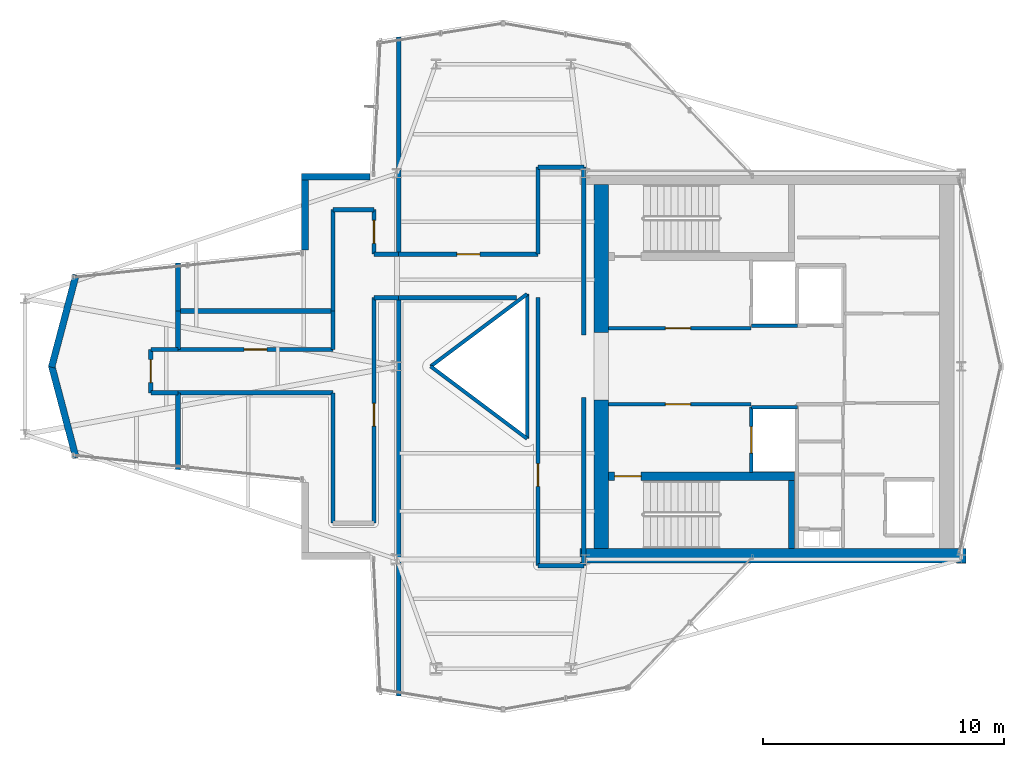
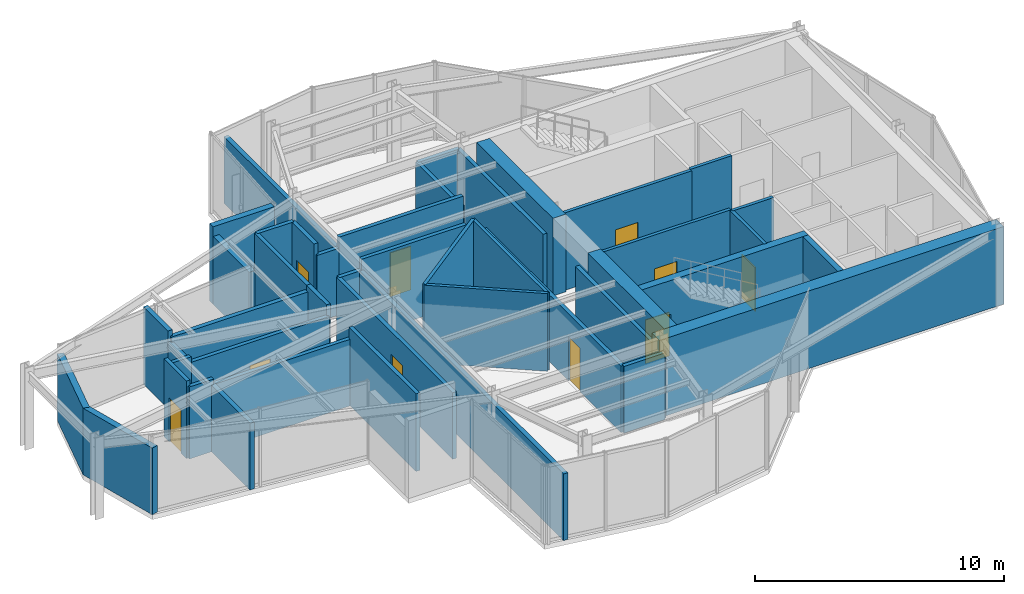
# One storey, part 11 of 14: 44 walls, 10 doors, 10 openings.
"""IFC4 building model written with IfcOpenShell, lengths in metres."""

import ifcopenshell
import ifcopenshell.guid

model = None  # the IFC model being written
_history = None  # IfcOwnerHistory: only IFC2X3 demands one
_inside = {}  # id of a spatial element -> (the spatial element, [elements in it])
_under = {}  # id of a project, library or spatial element -> (it, [spatial elements below it])
_declared = {}  # id of a project -> (the project, [libraries it declares])
_typed = {}  # id of a type object -> (the type object, [elements of that type])
_made_of = {}  # id of a material, layer set ... -> (it, [elements and type objects made of it])


def new_model(schema):
    """Start an empty IFC model of exactly this schema.

    Asked for "IFC4X3", IfcOpenShell would pick the latest addendum, in which some entities
    have other attributes; the version numbers below select the first issue.
    IFC2X3 requires an IfcOwnerHistory on every rooted entity: one is made here for all.
    """
    global model, _history
    if schema == "IFC4X3":
        model = ifcopenshell.file(schema_version=(4, 3, 0, 0))
    else:
        model = ifcopenshell.file(schema=schema)
    _inside.clear()
    _under.clear()
    _declared.clear()
    _typed.clear()
    _made_of.clear()
    _history = None
    if model.schema == "IFC2X3":
        org = make("IfcOrganization", Name="unknown")
        user = make(
            "IfcPersonAndOrganization",
            ThePerson=make("IfcPerson", FamilyName="unknown"),
            TheOrganization=org,
        )
        app = make(
            "IfcApplication",
            ApplicationDeveloper=org,
            Version="unknown",
            ApplicationFullName="unknown",
            ApplicationIdentifier="unknown",
        )
        _history = make(
            "IfcOwnerHistory",
            OwningUser=user,
            OwningApplication=app,
            ChangeAction="ADDED",
            CreationDate=0,
        )
    return model


def make(cls, **values):
    """One entity of the class cls with the attributes given. An attribute that is None is left unset."""
    return model.create_entity(
        cls, **{name: value for name, value in values.items() if value is not None}
    )


def rooted(cls, **values):
    """An entity with a GlobalId (a new one), such as an element, a storey or a relation."""
    return make(cls, GlobalId=ifcopenshell.guid.new(), OwnerHistory=_history, **values)


def si_unit(unit_type, name, prefix=None):
    """IfcSIUnit, for example si_unit("LENGTHUNIT", "METRE", prefix="MILLI")."""
    return make("IfcSIUnit", UnitType=unit_type, Prefix=prefix, Name=name)


def assignment(units):
    """IfcUnitAssignment: the units of a project."""
    return None if units is None else make("IfcUnitAssignment", Units=units)


def point(xyz):
    """IfcCartesianPoint."""
    return None if xyz is None else make("IfcCartesianPoint", Coordinates=xyz)


def direction(xyz):
    """IfcDirection."""
    return None if xyz is None else make("IfcDirection", DirectionRatios=xyz)


def frame(location, z_axis=None, x_axis=None):
    """IfcAxis2Placement3D, a coordinate frame: its origin and axes. An axis left out is left unset."""
    return make(
        "IfcAxis2Placement3D",
        Location=point(location),
        Axis=direction(z_axis),
        RefDirection=direction(x_axis),
    )


def frame_2d(location, x_axis=None):
    """IfcAxis2Placement2D, a coordinate frame in the plane: its origin and x axis."""
    return make(
        "IfcAxis2Placement2D", Location=point(location), RefDirection=direction(x_axis)
    )


def origin():
    """The frame at (0, 0, 0) with its axes left unset."""
    return frame((0.0, 0.0, 0.0))


def place(relative_to, where):
    """IfcLocalPlacement: puts the frame where relative to a parent placement (None: the world)."""
    return make(
        "IfcLocalPlacement", PlacementRelTo=relative_to, RelativePlacement=where
    )


def context(
    kind, dimensions, precision=None, world=None, true_north=None, identifier=None
):
    """IfcGeometricRepresentationContext, for example the 3D "Model" context."""
    return make(
        "IfcGeometricRepresentationContext",
        ContextIdentifier=identifier,
        ContextType=kind,
        CoordinateSpaceDimension=dimensions,
        Precision=precision,
        WorldCoordinateSystem=world,
        TrueNorth=true_north,
    )


def subcontext(parent, identifier, kind, view, scale=None):
    """IfcGeometricRepresentationSubContext, for example "Body" below "Model"."""
    return make(
        "IfcGeometricRepresentationSubContext",
        ContextIdentifier=identifier,
        ContextType=kind,
        ParentContext=parent,
        TargetScale=scale,
        TargetView=view,
    )


def project(units=None, contexts=None):
    """IfcProject with its units and contexts."""
    return rooted(
        "IfcProject",
        Name="project",
        RepresentationContexts=contexts,
        UnitsInContext=assignment(units),
    )


def spatial(cls, under=None, at=None, **own):
    """A site, building, storey or space (cls), placed at a placement, below another one or the project."""
    s = rooted(cls, ObjectPlacement=at, **own)
    if under is not None:
        _under.setdefault(under.id(), (under, []))[1].append(s)
    return s


def profile(cls, at=None, kind="AREA", **sizes):
    """A parametric profile (cls). Its sizes go by their IFC names, for example OverallWidth=200.0."""
    return make(cls, ProfileType=kind, Position=at, **sizes)


def rectangle(**sizes):
    """IfcRectangleProfileDef."""
    return profile("IfcRectangleProfileDef", **sizes)


def extrude(swept, where, along, depth):
    """IfcExtrudedAreaSolid: the profile swept, set in the frame where, extruded along a direction by depth."""
    return make(
        "IfcExtrudedAreaSolid",
        SweptArea=swept,
        Position=where,
        ExtrudedDirection=direction(along),
        Depth=depth,
    )


def shape(context_of_items, identifier, shape_type, items):
    """IfcShapeRepresentation: the items that make up one representation, for example the "Body"."""
    return make(
        "IfcShapeRepresentation",
        ContextOfItems=context_of_items,
        RepresentationIdentifier=identifier,
        RepresentationType=shape_type,
        Items=items,
    )


def material(Name=None, Category=None):
    """IfcMaterial."""
    return make("IfcMaterial", Name=Name, Category=Category)


def layer(
    of_material, thickness, ventilated=None, Name=None, Category=None, Priority=None
):
    """IfcMaterialLayer: one layer of a wall or slab, of a material (None: an air gap)."""
    return make(
        "IfcMaterialLayer",
        Material=of_material,
        LayerThickness=thickness,
        IsVentilated=ventilated,
        Name=Name,
        Category=Category,
        Priority=Priority,
    )


def layer_set(layers, Name=None):
    """IfcMaterialLayerSet."""
    return make("IfcMaterialLayerSet", MaterialLayers=layers, LayerSetName=Name)


def made_of(thing, what):
    """Note that an element or type object is made of a material, layer set ...; save() writes the relation."""
    if what is not None:
        _made_of.setdefault(what.id(), (what, []))[1].append(thing)
    return thing


def type_object(cls, material=None, **own):
    """A type object (cls), such as IfcWallType, which elements share."""
    return made_of(rooted(cls, **own), material)


def element(
    cls,
    number,
    at=None,
    inside=None,
    cuts=None,
    type_object=None,
    material=None,
    context=None,
    identifier="Body",
    shape_type=None,
    held_by="IfcProductDefinitionShape",
    body=None,
    shapes=None,
    **own,
):
    """One element of the class cls, such as IfcWall. Its Tag is "e" and its number.

    at: its placement. inside: the storey or other place that contains it. cuts: it is an
    opening in that element (IfcRelVoidsElement). A single representation is given by context,
    identifier, shape_type and body (its items); several are given by shapes. held_by: the class
    of the entity that holds the representations. save() writes the other relations.
    """
    e = rooted(cls, Tag="e%d" % number, ObjectPlacement=at, **own)
    if body is not None:
        shapes = [shape(context, identifier, shape_type, body)]
    if shapes is not None:
        e.Representation = make(held_by, Representations=shapes)
    if inside is not None:
        _inside.setdefault(inside.id(), (inside, []))[1].append(e)
    if cuts is not None:
        rooted(
            "IfcRelVoidsElement", RelatingBuildingElement=cuts, RelatedOpeningElement=e
        )
    if type_object is not None:
        _typed.setdefault(type_object.id(), (type_object, []))[1].append(e)
    return made_of(e, material)


def fill(opening, filler):
    """IfcRelFillsElement: the door or window that sits in an opening."""
    return rooted(
        "IfcRelFillsElement",
        RelatingOpeningElement=opening,
        RelatedBuildingElement=filler,
    )


def aggregate(whole, parts):
    """IfcRelAggregates: a whole, such as a stair, and the parts it consists of."""
    return rooted("IfcRelAggregates", RelatingObject=whole, RelatedObjects=parts)


def save(model, path):
    """Write the relations noted so far, then the file.

    IfcRelAggregates (storeys below a building ...), IfcRelContainedInSpatialStructure (elements
    in a storey), IfcRelDefinesByType, IfcRelAssociatesMaterial and IfcRelDeclares: one each for
    every whole, place, type object, material and project.
    """
    for whole, parts in _under.values():
        aggregate(whole, parts)
    for where, things in _inside.values():
        rooted(
            "IfcRelContainedInSpatialStructure",
            RelatedElements=things,
            RelatingStructure=where,
        )
    for kind, things in _typed.values():
        rooted("IfcRelDefinesByType", RelatedObjects=things, RelatingType=kind)
    for what, things in _made_of.values():
        rooted("IfcRelAssociatesMaterial", RelatedObjects=things, RelatingMaterial=what)
    for by, libraries in _declared.values():
        rooted("IfcRelDeclares", RelatingContext=by, RelatedDefinitions=libraries)
    model.write(path)


model = new_model("IFC4")

# Units and contexts
model_context = context("Model", 3, precision=1e-05, world=origin(), true_north=direction((0.0, 1.0)))
body_context = subcontext(model_context, "Body", "Model", "MODEL_VIEW")
ifc_project = project(units=[si_unit("LENGTHUNIT", "METRE"), si_unit("AREAUNIT", "SQUARE_METRE"), si_unit("VOLUMEUNIT", "CUBIC_METRE"), si_unit("PLANEANGLEUNIT", "RADIAN"), si_unit("MASSUNIT", "GRAM", prefix="KILO")], contexts=[model_context])

# Site, building, storey
site_placement = place(None, origin())
site = spatial("IfcSite", under=ifc_project, at=site_placement, CompositionType="ELEMENT")
building_placement = place(site_placement, origin())
building = spatial("IfcBuilding", under=site, at=building_placement, Name="Veymaron Broadcast Tower", CompositionType="ELEMENT")
storey_placement = place(building_placement, frame((0.0, 0.0, 295.199951171875)))
storey = spatial("IfcBuildingStorey", under=building, at=storey_placement, Name="L69", CompositionType="ELEMENT", Elevation=295.199951171875)

# Walls
ifc_material_1 = material(Name="Concrete C40/50", Category="concrete")
ifc_layer_1 = layer(ifc_material_1, 0.199951171875)
ifc_layer_set_1 = layer_set([ifc_layer_1], Name="Concrete C40/50")
wall_type_1 = type_object("IfcWallType", Name="WALL-BLK-200", PredefinedType="SOLIDWALL", material=ifc_layer_set_1)
wall_1_placement = place(storey_placement, frame((31.27587890625, 10.33740234375, 0.0), z_axis=(0.0, 0.0, 1.0), x_axis=(0.0, 1.0, 0.0)))
element("IfcWall", 1, at=wall_1_placement, inside=storey, type_object=wall_type_1, Name="L69 partition IW-L69-P23", PredefinedType="SOLIDWALL", context=body_context, shape_type="SweptSolid", body=[
    extrude(rectangle(XDim=16.5126953125, YDim=0.199951171875, at=frame_2d((8.25634765625, 0.0))), origin(), (0.0, 0.0, 1.0), 3.27001953125),
])
wall_2_placement = place(storey_placement, frame((22.1279296875, 19.71533203125, 0.0), z_axis=(0.0, 0.0, 1.0), x_axis=(0.0, 1.0, 0.0)))
element("IfcWall", 2, at=wall_2_placement, inside=storey, type_object=wall_type_1, Name="L69 partition IW-L69-P24", PredefinedType="SOLIDWALL", context=body_context, shape_type="SweptSolid", body=[
    extrude(rectangle(XDim=3.1845703125, YDim=0.199951171875, at=frame_2d((1.59228515625, 0.0))), origin(), (0.0, 0.0, 1.0), 3.27001953125),
])
wall_3_placement = place(storey_placement, frame((22.1279296875, 24.699951171875, 0.0), z_axis=(0.0, 0.0, 1.0), x_axis=(0.0, 1.0, 0.0)))
element("IfcWall", 3, at=wall_3_placement, inside=storey, type_object=wall_type_1, Name="L69 partition IW-L69-P25", PredefinedType="SOLIDWALL", context=body_context, shape_type="SweptSolid", body=[
    extrude(rectangle(XDim=1.59814453125, YDim=0.199951171875, at=frame_2d((0.799072265625, 0.0))), origin(), (0.0, 0.0, 1.0), 3.27001953125),
])
wall_4_placement = place(storey_placement, frame((22.1279296875, 26.298095703125, 0.0), z_axis=(0.0, 0.0, 1.0), x_axis=(0.0, 1.0, 0.0)))
element("IfcWall", 4, at=wall_4_placement, inside=storey, type_object=wall_type_1, Name="L69 partition IW-L69-P26", PredefinedType="SOLIDWALL", context=body_context, shape_type="SweptSolid", body=[
    extrude(rectangle(XDim=1.986572265625, YDim=0.199951171875, at=frame_2d((0.9931640625, 0.0))), origin(), (0.0, 0.0, 1.0), 3.81005859375),
])
wall_5_placement = place(storey_placement, frame((22.1279296875, 26.298095703125, 0.0), z_axis=(0.0, 0.0, 1.0), x_axis=(1.0, 0.0, 0.0)))
element("IfcWall", 5, at=wall_5_placement, inside=storey, type_object=wall_type_1, Name="L69 partition IW-L69-P27", PredefinedType="SOLIDWALL", context=body_context, shape_type="SweptSolid", body=[
    extrude(rectangle(XDim=6.422119140625, YDim=0.199951171875, at=frame_2d((3.2109375, 0.0))), origin(), (0.0, 0.0, 1.0), 3.5400390625),
])
wall_6_placement = place(storey_placement, frame((31.27587890625, 28.64990234375, 0.0), z_axis=(0.0, 0.0, 1.0), x_axis=(0.0, 1.0, 0.0)))
element("IfcWall", 6, at=wall_6_placement, inside=storey, type_object=wall_type_1, Name="L69 partition IW-L69-P28", PredefinedType="SOLIDWALL", context=body_context, shape_type="SweptSolid", body=[
    extrude(rectangle(XDim=9.0126953125, YDim=0.199951171875, at=frame_2d((4.50634765625, 0.0))), origin(), (0.0, 0.0, 1.0), 3.27001953125),
])
ifc_material_2 = material(Name="Precast concrete C40/50", Category="concrete")
ifc_layer_2 = layer(ifc_material_2, 0.280029296875)
ifc_layer_set_2 = layer_set([ifc_layer_2], Name="Precast concrete C40/50")
wall_type_2 = type_object("IfcWallType", Name="WALL-EXT-280", PredefinedType="STANDARD", material=ifc_layer_set_2)
wall_7_placement = place(storey_placement, frame((30.0908203125, 31.860107421875, 0.0), z_axis=(0.0, 0.0, 1.0), x_axis=(-1.0, 0.0, 0.0)))
element("IfcWall", 7, at=wall_7_placement, inside=storey, type_object=wall_type_2, Name="L69 notched corner facade pier 9-1", PredefinedType="STANDARD", context=body_context, shape_type="SweptSolid", body=[
    extrude(rectangle(XDim=2.84130859375, YDim=0.280029296875, at=frame_2d((1.420654296875, 0.0))), origin(), (0.0, 0.0, 1.0), 3.81005859375),
])
wall_8_placement = place(storey_placement, frame((27.3896484375, 32.0, 0.0), z_axis=(0.0, 0.0, 1.0), x_axis=(0.0, -1.0, 0.0)))
element("IfcWall", 8, at=wall_8_placement, inside=storey, type_object=wall_type_2, Name="L69 notched corner facade pier 10-1", PredefinedType="STANDARD", context=body_context, shape_type="SweptSolid", body=[
    extrude(rectangle(XDim=3.177001953125, YDim=0.280029296875, at=frame_2d((1.58837890625, 0.0))), origin(), (0.0, 0.0, 1.0), 3.339111328125),
])
for number, where, z_axis, x_axis, name in (
    (9, (17.895263671875, 27.78955078125, 0.0), (0.0, 0.0, 1.0), (-0.255911213431, -0.96670029008, 0.0), "L69 notched corner facade pier 12-1"),
    (10, (16.882568359375, 24.035888671875, 0.0), (0.0, 0.0, 1.0), (0.255911213431, -0.96670029008, 0.0), "L69 notched corner facade pier 13-1"),
):
    element("IfcWall", number, at=place(storey_placement, frame(where, z_axis=z_axis, x_axis=x_axis)), inside=storey, type_object=wall_type_2, Name=name, PredefinedType="STANDARD", context=body_context, shape_type="SweptSolid", body=[
        extrude(rectangle(XDim=3.957275390625, YDim=0.280029296875, at=frame_2d((1.978515625, 0.0))), origin(), (0.0, 0.0, 1.0), 3.27001953125),
    ])

# Wall, opening, door
ifc_material_3 = material(Name="Gypsum fireboard and steel stud framing", Category="steel")
ifc_layer_3 = layer(ifc_material_3, 0.14990234375)
ifc_layer_set_3 = layer_set([ifc_layer_3], Name="Gypsum fireboard and steel stud framing")
wall_type_3 = type_object("IfcWallType", Name="WALL-FIRE-150", PredefinedType="PARTITIONING", material=ifc_layer_set_3)
wall_9_placement = place(storey_placement, frame((39.97998046875, 25.574951171875, 0.0), z_axis=(0.0, 0.0, 1.0), x_axis=(1.0, 0.0, 0.0)))
wall_9 = element("IfcWall", 11, at=wall_9_placement, inside=storey, type_object=wall_type_3, Name="L69 partition IW-L69-FFLN-S", PredefinedType="PARTITIONING", context=body_context, shape_type="SweptSolid", body=[
    extrude(rectangle(XDim=5.89990234375, YDim=0.14990234375, at=frame_2d((2.949951171875, 0.0))), origin(), (0.0, 0.0, 1.0), 3.81005859375),
])
opening_1_placement = place(wall_9_placement, frame((2.35009765625, 0.0, 0.0)))
opening_1 = element("IfcOpeningElement", 12, at=opening_1_placement, cuts=wall_9, Name="Opening ID-FL1", PredefinedType="OPENING", context=body_context, shape_type="SweptSolid", body=[
    extrude(rectangle(XDim=1.050048828125, YDim=2.14990234375, at=frame_2d((0.52490234375, 1.074951171875))), frame((0.0, 0.0849609375, 0.0), z_axis=(0.0, -1.0, 0.0), x_axis=(1.0, 0.0, 0.0)), (0.0, 0.0, 1.0), 0.169921875),
])
ifc_material_4 = material(Name="Fire-rated painted hollow steel ASTM A653", Category="steel")
door_type_1 = type_object("IfcDoorType", Name="DOOR-FIRE-1050", OperationType="NOTDEFINED", PredefinedType="DOOR", material=ifc_material_4)
door_1_placement = place(opening_1_placement, origin())
door_1 = element("IfcDoor", 13, at=door_1_placement, inside=storey, type_object=door_type_1, Name="L69 door DR-L69-FFLN", OperationType="SINGLE_SWING_LEFT", OverallHeight=2.14990234375, OverallWidth=1.050048828125, PredefinedType="DOOR", context=body_context, shape_type="SweptSolid", body=[
    extrude(rectangle(XDim=1.050048828125, YDim=2.14990234375, at=frame_2d((0.52490234375, 1.074951171875))), frame((0.0, 0.02490234375, 0.0), z_axis=(0.0, -1.0, 0.0), x_axis=(1.0, 0.0, 0.0)), (0.0, 0.0, 1.0), 0.050048828125),
])
fill(opening_1, door_1)

wall_10_placement = place(storey_placement, frame((39.97998046875, 22.425048828125, 0.0), z_axis=(0.0, 0.0, 1.0), x_axis=(1.0, 0.0, 0.0)))
wall_10 = element("IfcWall", 14, at=wall_10_placement, inside=storey, type_object=wall_type_3, Name="L69 partition IW-L69-FFLS-N", PredefinedType="PARTITIONING", context=body_context, shape_type="SweptSolid", body=[
    extrude(rectangle(XDim=5.89990234375, YDim=0.14990234375, at=frame_2d((2.949951171875, 0.0))), origin(), (0.0, 0.0, 1.0), 3.81005859375),
])
opening_2_placement = place(wall_10_placement, frame((2.35009765625, 0.0, 0.0)))
opening_2 = element("IfcOpeningElement", 15, at=opening_2_placement, cuts=wall_10, Name="Opening ID-FL1", PredefinedType="OPENING", context=body_context, shape_type="SweptSolid", body=[
    extrude(rectangle(XDim=1.050048828125, YDim=2.14990234375, at=frame_2d((0.52490234375, 1.074951171875))), frame((0.0, 0.0849609375, 0.0), z_axis=(0.0, -1.0, 0.0), x_axis=(1.0, 0.0, 0.0)), (0.0, 0.0, 1.0), 0.169921875),
])
door_2_placement = place(opening_2_placement, frame((1.050048828125, 0.0, 0.0), z_axis=(0.0, 0.0, 1.0), x_axis=(-1.0, 0.0, 0.0)))
door_2 = element("IfcDoor", 16, at=door_2_placement, inside=storey, type_object=door_type_1, Name="L69 door DR-L69-FFLS", OperationType="SINGLE_SWING_RIGHT", OverallHeight=2.14990234375, OverallWidth=1.050048828125, PredefinedType="DOOR", context=body_context, shape_type="SweptSolid", body=[
    extrude(rectangle(XDim=1.050048828125, YDim=2.14990234375, at=frame_2d((0.52490234375, 1.074951171875))), frame((0.0, 0.02490234375, 0.0), z_axis=(0.0, -1.0, 0.0), x_axis=(1.0, 0.0, 0.0)), (0.0, 0.0, 1.0), 0.050048828125),
])
fill(opening_2, door_2)

# Wall
wall_11_placement = place(storey_placement, frame((45.89501953125, 25.68994140625, 0.0), z_axis=(0.0, 0.0, 1.0), x_axis=(1.0, 0.0, 0.0)))
element("IfcWall", 17, at=wall_11_placement, inside=storey, type_object=wall_type_3, Name="L69 partition IW-L69-SHS-FFL-1", PredefinedType="PARTITIONING", context=body_context, shape_type="SweptSolid", body=[
    extrude(rectangle(XDim=1.9150390625, YDim=0.14990234375, at=frame_2d((0.95751953125, 0.0))), origin(), (0.0, 0.0, 1.0), 3.81005859375),
])

# Wall, opening, door
wall_12_placement = place(storey_placement, frame((45.89501953125, 19.590087890625, 0.0), z_axis=(0.0, 0.0, 1.0), x_axis=(0.0, 1.0, 0.0)))
wall_12 = element("IfcWall", 18, at=wall_12_placement, inside=storey, type_object=wall_type_3, Name="L69 partition IW-L69-SHW-FFL-2", PredefinedType="PARTITIONING", context=body_context, shape_type="SweptSolid", body=[
    extrude(rectangle(XDim=2.719970703125, YDim=0.14990234375, at=frame_2d((1.35986328125, 0.0))), origin(), (0.0, 0.0, 1.0), 3.81005859375),
])
opening_3_placement = place(wall_12_placement, frame((0.81005859375, 0.0, 0.0)))
opening_3 = element("IfcOpeningElement", 19, at=opening_3_placement, cuts=wall_12, Name="Opening LD", PredefinedType="OPENING", context=body_context, shape_type="SweptSolid", body=[
    extrude(rectangle(XDim=1.10009765625, YDim=2.14990234375, at=frame_2d((0.550048828125, 1.074951171875))), frame((0.0, 0.0849609375, 0.0), z_axis=(0.0, -1.0, 0.0), x_axis=(1.0, 0.0, 0.0)), (0.0, 0.0, 1.0), 0.169921875),
])
ifc_material_5 = material(Name="Brushed stainless steel AISI 304", Category="steel")
door_type_2 = type_object("IfcDoorType", Name="DOOR-LIFT-1100", OperationType="DOUBLE_DOOR_SLIDING", PredefinedType="DOOR", material=ifc_material_5)
door_3_placement = place(opening_3_placement, frame((1.10009765625, 0.0, 0.0), z_axis=(0.0, 0.0, 1.0), x_axis=(-1.0, 0.0, 0.0)))
door_3 = element("IfcDoor", 20, at=door_3_placement, inside=storey, type_object=door_type_2, Name="L69 door LD-L69-FFL-2", OperationType="DOUBLE_DOOR_SLIDING", OverallHeight=2.14990234375, OverallWidth=1.10009765625, PredefinedType="DOOR", context=body_context, shape_type="SweptSolid", body=[
    extrude(rectangle(XDim=1.10009765625, YDim=2.14990234375, at=frame_2d((0.550048828125, 1.074951171875))), frame((0.0, 0.02490234375, 0.0), z_axis=(0.0, -1.0, 0.0), x_axis=(1.0, 0.0, 0.0)), (0.0, 0.0, 1.0), 0.050048828125),
])
fill(opening_3, door_3)

# Wall
wall_13_placement = place(storey_placement, frame((45.89501953125, 22.31005859375, 0.0), z_axis=(0.0, 0.0, 1.0), x_axis=(1.0, 0.0, 0.0)))
element("IfcWall", 21, at=wall_13_placement, inside=storey, type_object=wall_type_3, Name="L69 partition IW-L69-SHN-FFL-2", PredefinedType="PARTITIONING", context=body_context, shape_type="SweptSolid", body=[
    extrude(rectangle(XDim=1.9150390625, YDim=0.14990234375, at=frame_2d((0.95751953125, 0.0))), origin(), (0.0, 0.0, 1.0), 3.81005859375),
])

# Wall, opening, door
ifc_layer_4 = layer(ifc_material_1, 0.179931640625)
ifc_layer_set_4 = layer_set([ifc_layer_4], Name="Concrete C40/50")
wall_type_4 = type_object("IfcWallType", Name="WALL-FIRE-180", PredefinedType="SOLIDWALL", material=ifc_layer_set_4)
wall_14_placement = place(storey_placement, frame((37.050048828125, 15.73876953125, 0.0), z_axis=(0.0, 0.0, 1.0), x_axis=(0.0, 1.0, 0.0)))
wall_14 = element("IfcWall", 22, at=wall_14_placement, inside=storey, type_object=wall_type_4, Name="L69 partition IW-L69-P01", PredefinedType="SOLIDWALL", context=body_context, shape_type="SweptSolid", body=[
    extrude(rectangle(XDim=11.111328125, YDim=0.179931640625, at=frame_2d((5.5556640625, 0.0))), origin(), (0.0, 0.0, 1.0), 3.27001953125),
])
opening_4_placement = place(wall_14_placement, frame((3.280517578125, 0.0, 0.0)))
opening_4 = element("IfcOpeningElement", 23, at=opening_4_placement, cuts=wall_14, Name="Opening ID-RM1", PredefinedType="OPENING", context=body_context, shape_type="SweptSolid", body=[
    extrude(rectangle(XDim=0.949951171875, YDim=2.14990234375, at=frame_2d((0.47509765625, 1.074951171875))), frame((0.0, 0.10009765625, 0.0), z_axis=(0.0, -1.0, 0.0), x_axis=(1.0, 0.0, 0.0)), (0.0, 0.0, 1.0), 0.199951171875),
])
ifc_material_6 = material(Name="Acoustic solid-core European oak veneer timber", Category="wood")
door_type_3 = type_object("IfcDoorType", Name="DOOR-INT-950", OperationType="NOTDEFINED", PredefinedType="DOOR", material=ifc_material_6)
door_4_placement = place(opening_4_placement, frame((0.949951171875, 0.0, 0.0), z_axis=(0.0, 0.0, 1.0), x_axis=(-1.0, 0.0, 0.0)))
door_4 = element("IfcDoor", 24, at=door_4_placement, inside=storey, type_object=door_type_3, Name="L69 door DR-L69-P01", OperationType="SINGLE_SWING_RIGHT", OverallHeight=2.14990234375, OverallWidth=0.949951171875, PredefinedType="DOOR", context=body_context, shape_type="SweptSolid", body=[
    extrude(rectangle(XDim=0.949951171875, YDim=2.14990234375, at=frame_2d((0.47509765625, 1.074951171875))), frame((0.0, 0.02490234375, 0.0), z_axis=(0.0, -1.0, 0.0), x_axis=(1.0, 0.0, 0.0)), (0.0, 0.0, 1.0), 0.050048828125),
])
fill(opening_4, door_4)

wall_15_placement = place(storey_placement, frame((30.25, 17.5, 0.0), z_axis=(0.0, 0.0, 1.0), x_axis=(0.0, 1.0, 0.0)))
wall_15 = element("IfcWall", 25, at=wall_15_placement, inside=storey, type_object=wall_type_4, Name="L69 partition IW-L69-P05", PredefinedType="SOLIDWALL", context=body_context, shape_type="SweptSolid", body=[
    extrude(rectangle(XDim=9.35009765625, YDim=0.179931640625, at=frame_2d((4.675048828125, 0.0))), origin(), (0.0, 0.0, 1.0), 3.27001953125),
])
opening_5_placement = place(wall_15_placement, frame((4.02001953125, 0.0, 0.0)))
opening_5 = element("IfcOpeningElement", 26, at=opening_5_placement, cuts=wall_15, Name="Opening ID-RM1", PredefinedType="OPENING", context=body_context, shape_type="SweptSolid", body=[
    extrude(rectangle(XDim=0.949951171875, YDim=2.14990234375, at=frame_2d((0.47509765625, 1.074951171875))), frame((0.0, 0.10009765625, 0.0), z_axis=(0.0, -1.0, 0.0), x_axis=(1.0, 0.0, 0.0)), (0.0, 0.0, 1.0), 0.199951171875),
])
door_5_placement = place(opening_5_placement, frame((0.949951171875, 0.0, 0.0), z_axis=(0.0, 0.0, 1.0), x_axis=(-1.0, 0.0, 0.0)))
door_5 = element("IfcDoor", 27, at=door_5_placement, inside=storey, type_object=door_type_3, Name="L69 door DR-L69-P05", OperationType="SINGLE_SWING_RIGHT", OverallHeight=2.14990234375, OverallWidth=0.949951171875, PredefinedType="DOOR", context=body_context, shape_type="SweptSolid", body=[
    extrude(rectangle(XDim=0.949951171875, YDim=2.14990234375, at=frame_2d((0.47509765625, 1.074951171875))), frame((0.0, 0.02490234375, 0.0), z_axis=(0.0, -1.0, 0.0), x_axis=(1.0, 0.0, 0.0)), (0.0, 0.0, 1.0), 0.050048828125),
])
fill(opening_5, door_5)

wall_16_placement = place(storey_placement, frame((21.0, 22.89990234375, 0.0), z_axis=(0.0, 0.0, 1.0), x_axis=(0.0, 1.0, 0.0)))
wall_16 = element("IfcWall", 28, at=wall_16_placement, inside=storey, type_object=wall_type_4, Name="L69 partition IW-L69-P10", PredefinedType="SOLIDWALL", context=body_context, shape_type="SweptSolid", body=[
    extrude(rectangle(XDim=1.800048828125, YDim=0.179931640625, at=frame_2d((0.89990234375, 0.0))), origin(), (0.0, 0.0, 1.0), 3.81005859375),
])
opening_6_placement = place(wall_16_placement, frame((0.425048828125, 0.0, 0.0)))
opening_6 = element("IfcOpeningElement", 29, at=opening_6_placement, cuts=wall_16, Name="Opening ID-RM1", PredefinedType="OPENING", context=body_context, shape_type="SweptSolid", body=[
    extrude(rectangle(XDim=0.949951171875, YDim=2.14990234375, at=frame_2d((0.47509765625, 1.074951171875))), frame((0.0, 0.10009765625, 0.0), z_axis=(0.0, -1.0, 0.0), x_axis=(1.0, 0.0, 0.0)), (0.0, 0.0, 1.0), 0.199951171875),
])
door_6_placement = place(opening_6_placement, origin())
door_6 = element("IfcDoor", 30, at=door_6_placement, inside=storey, type_object=door_type_3, Name="L69 door DR-L69-P10", OperationType="SINGLE_SWING_LEFT", OverallHeight=2.14990234375, OverallWidth=0.949951171875, PredefinedType="DOOR", context=body_context, shape_type="SweptSolid", body=[
    extrude(rectangle(XDim=0.949951171875, YDim=2.14990234375, at=frame_2d((0.47509765625, 1.074951171875))), frame((0.0, 0.02490234375, 0.0), z_axis=(0.0, -1.0, 0.0), x_axis=(1.0, 0.0, 0.0)), (0.0, 0.0, 1.0), 0.050048828125),
])
fill(opening_6, door_6)

wall_17_placement = place(storey_placement, frame((22.1279296875, 24.699951171875, 0.0), z_axis=(0.0, 0.0, 1.0), x_axis=(1.0, 0.0, 0.0)))
wall_17 = element("IfcWall", 31, at=wall_17_placement, inside=storey, type_object=wall_type_4, Name="L69 partition IW-L69-P13", PredefinedType="SOLIDWALL", context=body_context, shape_type="SweptSolid", body=[
    extrude(rectangle(XDim=6.422119140625, YDim=0.179931640625, at=frame_2d((3.2109375, 0.0))), origin(), (0.0, 0.0, 1.0), 3.27001953125),
])
opening_7_placement = place(wall_17_placement, frame((2.736083984375, 0.0, 0.0)))
opening_7 = element("IfcOpeningElement", 32, at=opening_7_placement, cuts=wall_17, Name="Opening ID-RM1", PredefinedType="OPENING", context=body_context, shape_type="SweptSolid", body=[
    extrude(rectangle(XDim=0.949951171875, YDim=2.14990234375, at=frame_2d((0.47509765625, 1.074951171875))), frame((0.0, 0.10009765625, 0.0), z_axis=(0.0, -1.0, 0.0), x_axis=(1.0, 0.0, 0.0)), (0.0, 0.0, 1.0), 0.199951171875),
])
door_7_placement = place(opening_7_placement, origin())
door_7 = element("IfcDoor", 33, at=door_7_placement, inside=storey, type_object=door_type_3, Name="L69 door DR-L69-P13", OperationType="SINGLE_SWING_RIGHT", OverallHeight=2.14990234375, OverallWidth=0.949951171875, PredefinedType="DOOR", context=body_context, shape_type="SweptSolid", body=[
    extrude(rectangle(XDim=0.949951171875, YDim=2.14990234375, at=frame_2d((0.47509765625, 1.074951171875))), frame((0.0, 0.02490234375, 0.0), z_axis=(0.0, -1.0, 0.0), x_axis=(1.0, 0.0, 0.0)), (0.0, 0.0, 1.0), 0.050048828125),
])
fill(opening_7, door_7)

wall_18_placement = place(storey_placement, frame((30.25, 28.64990234375, 0.0), z_axis=(0.0, 0.0, 1.0), x_axis=(0.0, 1.0, 0.0)))
wall_18 = element("IfcWall", 34, at=wall_18_placement, inside=storey, type_object=wall_type_4, Name="L69 partition IW-L69-P16", PredefinedType="SOLIDWALL", context=body_context, shape_type="SweptSolid", body=[
    extrude(rectangle(XDim=1.85009765625, YDim=0.179931640625, at=frame_2d((0.925048828125, 0.0))), origin(), (0.0, 0.0, 1.0), 3.81005859375),
])
opening_8_placement = place(wall_18_placement, frame((0.449951171875, 0.0, 0.0)))
opening_8 = element("IfcOpeningElement", 35, at=opening_8_placement, cuts=wall_18, Name="Opening ID-RM1", PredefinedType="OPENING", context=body_context, shape_type="SweptSolid", body=[
    extrude(rectangle(XDim=0.949951171875, YDim=2.14990234375, at=frame_2d((0.47509765625, 1.074951171875))), frame((0.0, 0.10009765625, 0.0), z_axis=(0.0, -1.0, 0.0), x_axis=(1.0, 0.0, 0.0)), (0.0, 0.0, 1.0), 0.199951171875),
])
door_8_placement = place(opening_8_placement, frame((0.949951171875, 0.0, 0.0), z_axis=(0.0, 0.0, 1.0), x_axis=(-1.0, 0.0, 0.0)))
door_8 = element("IfcDoor", 36, at=door_8_placement, inside=storey, type_object=door_type_3, Name="L69 door DR-L69-P16", OperationType="SINGLE_SWING_LEFT", OverallHeight=2.14990234375, OverallWidth=0.949951171875, PredefinedType="DOOR", context=body_context, shape_type="SweptSolid", body=[
    extrude(rectangle(XDim=0.949951171875, YDim=2.14990234375, at=frame_2d((0.47509765625, 1.074951171875))), frame((0.0, 0.02490234375, 0.0), z_axis=(0.0, -1.0, 0.0), x_axis=(1.0, 0.0, 0.0)), (0.0, 0.0, 1.0), 0.050048828125),
])
fill(opening_8, door_8)

wall_19_placement = place(storey_placement, frame((31.27587890625, 28.64990234375, 0.0), z_axis=(0.0, 0.0, 1.0), x_axis=(1.0, 0.0, 0.0)))
wall_19 = element("IfcWall", 37, at=wall_19_placement, inside=storey, type_object=wall_type_4, Name="L69 partition IW-L69-P20", PredefinedType="SOLIDWALL", context=body_context, shape_type="SweptSolid", body=[
    extrude(rectangle(XDim=5.774169921875, YDim=0.179931640625, at=frame_2d((2.88720703125, 0.0))), origin(), (0.0, 0.0, 1.0), 3.81005859375),
])
opening_9_placement = place(wall_19_placement, frame((2.412109375, 0.0, 0.0)))
opening_9 = element("IfcOpeningElement", 38, at=opening_9_placement, cuts=wall_19, Name="Opening ID-RM1", PredefinedType="OPENING", context=body_context, shape_type="SweptSolid", body=[
    extrude(rectangle(XDim=0.949951171875, YDim=2.14990234375, at=frame_2d((0.47509765625, 1.074951171875))), frame((0.0, 0.10009765625, 0.0), z_axis=(0.0, -1.0, 0.0), x_axis=(1.0, 0.0, 0.0)), (0.0, 0.0, 1.0), 0.199951171875),
])
door_9_placement = place(opening_9_placement, origin())
door_9 = element("IfcDoor", 39, at=door_9_placement, inside=storey, type_object=door_type_3, Name="L69 door DR-L69-P20", OperationType="SINGLE_SWING_LEFT", OverallHeight=2.14990234375, OverallWidth=0.949951171875, PredefinedType="DOOR", context=body_context, shape_type="SweptSolid", body=[
    extrude(rectangle(XDim=0.949951171875, YDim=2.14990234375, at=frame_2d((0.47509765625, 1.074951171875))), frame((0.0, 0.02490234375, 0.0), z_axis=(0.0, -1.0, 0.0), x_axis=(1.0, 0.0, 0.0)), (0.0, 0.0, 1.0), 0.050048828125),
])
fill(opening_9, door_9)

# Walls
wall_20_placement = place(storey_placement, frame((38.949951171875, 15.73876953125, 0.0), z_axis=(0.0, 0.0, 1.0), x_axis=(0.0, 1.0, 0.0)))
element("IfcWall", 40, at=wall_20_placement, inside=storey, type_object=wall_type_4, Name="L69 partition IW-L69-P02", PredefinedType="SOLIDWALL", context=body_context, shape_type="SweptSolid", body=[
    extrude(rectangle(XDim=6.961181640625, YDim=0.179931640625, at=frame_2d((3.48046875, 0.0))), origin(), (0.0, 0.0, 1.0), 3.27001953125),
])
wall_21_placement = place(storey_placement, frame((31.27587890625, 26.85009765625, 0.0), z_axis=(0.0, 0.0, 1.0), x_axis=(1.0, 0.0, 0.0)))
element("IfcWall", 41, at=wall_21_placement, inside=storey, type_object=wall_type_4, Name="L69 partition IW-L69-P03", PredefinedType="SOLIDWALL", context=body_context, shape_type="SweptSolid", body=[
    extrude(rectangle(XDim=4.8740234375, YDim=0.179931640625, at=frame_2d((2.43701171875, 0.0))), origin(), (0.0, 0.0, 1.0), 3.81005859375),
])
wall_22_placement = place(storey_placement, frame((37.050048828125, 15.73876953125, 0.0), z_axis=(0.0, 0.0, 1.0), x_axis=(1.0, 0.0, 0.0)))
element("IfcWall", 42, at=wall_22_placement, inside=storey, type_object=wall_type_4, Name="L69 partition IW-L69-P04", PredefinedType="SOLIDWALL", context=body_context, shape_type="SweptSolid", body=[
    extrude(rectangle(XDim=1.89990234375, YDim=0.179931640625, at=frame_2d((0.949951171875, 0.0))), origin(), (0.0, 0.0, 1.0), 3.27001953125),
])
wall_23_placement = place(storey_placement, frame((22.1279296875, 22.89990234375, 0.0), z_axis=(0.0, 0.0, 1.0), x_axis=(1.0, 0.0, 0.0)))
element("IfcWall", 43, at=wall_23_placement, inside=storey, type_object=wall_type_4, Name="L69 partition IW-L69-P06", PredefinedType="SOLIDWALL", context=body_context, shape_type="SweptSolid", body=[
    extrude(rectangle(XDim=6.422119140625, YDim=0.179931640625, at=frame_2d((3.2109375, 0.0))), origin(), (0.0, 0.0, 1.0), 3.27001953125),
])
wall_24_placement = place(storey_placement, frame((28.550048828125, 17.5, 0.0), z_axis=(0.0, 0.0, 1.0), x_axis=(0.0, 1.0, 0.0)))
element("IfcWall", 44, at=wall_24_placement, inside=storey, type_object=wall_type_4, Name="L69 partition IW-L69-P07", PredefinedType="SOLIDWALL", context=body_context, shape_type="SweptSolid", body=[
    extrude(rectangle(XDim=5.39990234375, YDim=0.179931640625, at=frame_2d((2.699951171875, 0.0))), origin(), (0.0, 0.0, 1.0), 3.81005859375),
])
wall_25_placement = place(storey_placement, frame((30.25, 26.85009765625, 0.0), z_axis=(0.0, 0.0, 1.0), x_axis=(1.0, 0.0, 0.0)))
element("IfcWall", 45, at=wall_25_placement, inside=storey, type_object=wall_type_4, Name="L69 partition IW-L69-P09", PredefinedType="SOLIDWALL", context=body_context, shape_type="SweptSolid", body=[
    extrude(rectangle(XDim=1.02587890625, YDim=0.179931640625, at=frame_2d((0.512939453125, 0.0))), origin(), (0.0, 0.0, 1.0), 3.27001953125),
])
for number, where, z_axis, x_axis, name in (
    (46, (21.0, 22.89990234375, 0.0), (0.0, 0.0, 1.0), (1.0, 0.0, 0.0), "L69 partition IW-L69-P11"),
    (47, (21.0, 24.699951171875, 0.0), (0.0, 0.0, 1.0), (1.0, 0.0, 0.0), "L69 partition IW-L69-P12"),
):
    element("IfcWall", number, at=place(storey_placement, frame(where, z_axis=z_axis, x_axis=x_axis)), inside=storey, type_object=wall_type_4, Name=name, PredefinedType="SOLIDWALL", context=body_context, shape_type="SweptSolid", body=[
        extrude(rectangle(XDim=1.1279296875, YDim=0.179931640625, at=frame_2d((0.56396484375, 0.0))), origin(), (0.0, 0.0, 1.0), 3.5400390625),
    ])
wall_26_placement = place(storey_placement, frame((28.550048828125, 24.699951171875, 0.0), z_axis=(0.0, 0.0, 1.0), x_axis=(0.0, 1.0, 0.0)))
element("IfcWall", 48, at=wall_26_placement, inside=storey, type_object=wall_type_4, Name="L69 partition IW-L69-P14", PredefinedType="SOLIDWALL", context=body_context, shape_type="SweptSolid", body=[
    extrude(rectangle(XDim=1.59814453125, YDim=0.179931640625, at=frame_2d((0.799072265625, 0.0))), origin(), (0.0, 0.0, 1.0), 3.81005859375),
])
wall_27_placement = place(storey_placement, frame((28.550048828125, 26.298095703125, 0.0), z_axis=(0.0, 0.0, 1.0), x_axis=(0.0, 1.0, 0.0)))
element("IfcWall", 49, at=wall_27_placement, inside=storey, type_object=wall_type_4, Name="L69 partition IW-L69-P15", PredefinedType="SOLIDWALL", context=body_context, shape_type="SweptSolid", body=[
    extrude(rectangle(XDim=4.201904296875, YDim=0.179931640625, at=frame_2d((2.10107421875, 0.0))), origin(), (0.0, 0.0, 1.0), 3.81005859375),
])
wall_28_placement = place(storey_placement, frame((28.550048828125, 30.5, 0.0), z_axis=(0.0, 0.0, 1.0), x_axis=(1.0, 0.0, 0.0)))
element("IfcWall", 50, at=wall_28_placement, inside=storey, type_object=wall_type_4, Name="L69 partition IW-L69-P17", PredefinedType="SOLIDWALL", context=body_context, shape_type="SweptSolid", body=[
    extrude(rectangle(XDim=1.699951171875, YDim=0.179931640625, at=frame_2d((0.85009765625, 0.0))), origin(), (0.0, 0.0, 1.0), 3.81005859375),
])
wall_29_placement = place(storey_placement, frame((30.25, 28.64990234375, 0.0), z_axis=(0.0, 0.0, 1.0), x_axis=(1.0, 0.0, 0.0)))
element("IfcWall", 51, at=wall_29_placement, inside=storey, type_object=wall_type_4, Name="L69 partition IW-L69-P18", PredefinedType="SOLIDWALL", context=body_context, shape_type="SweptSolid", body=[
    extrude(rectangle(XDim=1.02587890625, YDim=0.179931640625, at=frame_2d((0.512939453125, 0.0))), origin(), (0.0, 0.0, 1.0), 3.27001953125),
])
wall_30_placement = place(storey_placement, frame((38.949951171875, 25.300048828125, 0.0), z_axis=(0.0, 0.0, 1.0), x_axis=(0.0, 1.0, 0.0)))
element("IfcWall", 52, at=wall_30_placement, inside=storey, type_object=wall_type_4, Name="L69 partition IW-L69-P19", PredefinedType="SOLIDWALL", context=body_context, shape_type="SweptSolid", body=[
    extrude(rectangle(XDim=6.961181640625, YDim=0.179931640625, at=frame_2d((3.48046875, 0.0))), origin(), (0.0, 0.0, 1.0), 3.27001953125),
])
wall_31_placement = place(storey_placement, frame((37.050048828125, 28.64990234375, 0.0), z_axis=(0.0, 0.0, 1.0), x_axis=(0.0, 1.0, 0.0)))
element("IfcWall", 53, at=wall_31_placement, inside=storey, type_object=wall_type_4, Name="L69 partition IW-L69-P21", PredefinedType="SOLIDWALL", context=body_context, shape_type="SweptSolid", body=[
    extrude(rectangle(XDim=3.611328125, YDim=0.179931640625, at=frame_2d((1.8056640625, 0.0))), origin(), (0.0, 0.0, 1.0), 3.27001953125),
])
wall_32_placement = place(storey_placement, frame((37.050048828125, 32.26123046875, 0.0), z_axis=(0.0, 0.0, 1.0), x_axis=(1.0, 0.0, 0.0)))
element("IfcWall", 54, at=wall_32_placement, inside=storey, type_object=wall_type_4, Name="L69 partition IW-L69-P22", PredefinedType="SOLIDWALL", context=body_context, shape_type="SweptSolid", body=[
    extrude(rectangle(XDim=1.89990234375, YDim=0.179931640625, at=frame_2d((0.949951171875, 0.0))), origin(), (0.0, 0.0, 1.0), 3.27001953125),
])
ifc_material_7 = material(Name="Fire-rated laminated glass in aluminium frame", Category="aluminium")
ifc_layer_5 = layer(ifc_material_7, 0.14990234375)
ifc_layer_set_5 = layer_set([ifc_layer_5], Name="Fire-rated laminated glass in aluminium frame")
wall_type_5 = type_object("IfcWallType", Name="WALL-GLZ-150", PredefinedType="MOVABLE", material=ifc_layer_set_5)
wall_33_placement = place(storey_placement, frame((32.60009765625, 24.0, 0.0), z_axis=(0.0, 0.0, 1.0), x_axis=(0.8, -0.6, 0.0)))
element("IfcWall", 55, at=wall_33_placement, inside=storey, type_object=wall_type_5, Name="L69 partition IW-L69-ATR1", PredefinedType="MOVABLE", context=body_context, shape_type="SweptSolid", body=[
    extrude(rectangle(XDim=5.0, YDim=0.14990234375, at=frame_2d((2.5, 0.0))), origin(), (0.0, 0.0, 1.0), 3.81005859375),
])
wall_34_placement = place(storey_placement, frame((36.60009765625, 21.0, 0.0), z_axis=(0.0, 0.0, 1.0), x_axis=(0.0, 1.0, 0.0)))
element("IfcWall", 56, at=wall_34_placement, inside=storey, type_object=wall_type_5, Name="L69 partition IW-L69-ATR2", PredefinedType="MOVABLE", context=body_context, shape_type="SweptSolid", body=[
    extrude(rectangle(XDim=6.0, YDim=0.14990234375, at=frame_2d((3.0, 0.0))), origin(), (0.0, 0.0, 1.0), 3.81005859375),
])
wall_35_placement = place(storey_placement, frame((36.60009765625, 27.0, 0.0), z_axis=(0.0, 0.0, 1.0), x_axis=(-0.8, -0.6, 0.0)))
element("IfcWall", 57, at=wall_35_placement, inside=storey, type_object=wall_type_5, Name="L69 partition IW-L69-ATR3", PredefinedType="MOVABLE", context=body_context, shape_type="SweptSolid", body=[
    extrude(rectangle(XDim=5.0, YDim=0.14990234375, at=frame_2d((2.5, 0.0))), origin(), (0.0, 0.0, 1.0), 3.81005859375),
])
ifc_material_8 = material(Name="Concrete C50/60", Category="concrete")
ifc_layer_6 = layer(ifc_material_8, 0.25)
ifc_layer_set_6 = layer_set([ifc_layer_6], Name="Concrete C50/60")
wall_type_6 = type_object("IfcWallType", Name="WALL-SHEAR-250", PredefinedType="SHEAR", material=ifc_layer_set_6)
wall_36_placement = place(storey_placement, frame((47.56494140625, 16.449951171875, 0.0), z_axis=(0.0, 0.0, 1.0), x_axis=(0.0, 1.0, 0.0)))
element("IfcWall", 58, at=wall_36_placement, inside=storey, type_object=wall_type_6, Name="L69 Core Wall south stair east shear", PredefinedType="SHEAR", context=body_context, shape_type="SweptSolid", body=[
    extrude(rectangle(XDim=2.820068359375, YDim=0.25, at=frame_2d((1.41015625, 0.0))), origin(), (0.0, 0.0, 1.0), 3.81005859375),
])

# Wall, opening, door
ifc_layer_7 = layer(ifc_material_8, 0.35009765625)
ifc_layer_set_7 = layer_set([ifc_layer_7], Name="Concrete C50/60")
wall_type_7 = type_object("IfcWallType", Name="WALL-SHEAR-350", PredefinedType="SHEAR", material=ifc_layer_set_7)
wall_37_placement = place(storey_placement, frame((39.97998046875, 19.445068359375, 0.0), z_axis=(0.0, 0.0, 1.0), x_axis=(1.0, 0.0, 0.0)))
wall_37 = element("IfcWall", 59, at=wall_37_placement, inside=storey, type_object=wall_type_7, Name="L69 Core Wall south stair spine", PredefinedType="SHEAR", context=body_context, shape_type="SweptSolid", body=[
    extrude(rectangle(XDim=7.7099609375, YDim=0.35009765625, at=frame_2d((3.85498046875, 0.0))), origin(), (0.0, 0.0, 1.0), 3.81005859375),
])
opening_10_placement = place(wall_37_placement, frame((0.25, 0.0, 0.0)))
opening_10 = element("IfcOpeningElement", 60, at=opening_10_placement, cuts=wall_37, Name="Opening ID-ST1", PredefinedType="OPENING", context=body_context, shape_type="SweptSolid", body=[
    extrude(rectangle(XDim=1.10009765625, YDim=2.14990234375, at=frame_2d((0.550048828125, 1.074951171875))), frame((0.0, 0.18505859375, 0.0), z_axis=(0.0, -1.0, 0.0), x_axis=(1.0, 0.0, 0.0)), (0.0, 0.0, 1.0), 0.3701171875),
])
door_type_4 = type_object("IfcDoorType", Name="DOOR-STAIR-1100", OperationType="NOTDEFINED", PredefinedType="DOOR", material=ifc_material_4)
door_10_placement = place(opening_10_placement, frame((1.10009765625, 0.0, 0.0), z_axis=(0.0, 0.0, 1.0), x_axis=(-1.0, 0.0, 0.0)))
door_10 = element("IfcDoor", 61, at=door_10_placement, inside=storey, type_object=door_type_4, Name="L69 exit stair ST2 fire door", OperationType="SINGLE_SWING_LEFT", OverallHeight=2.14990234375, OverallWidth=1.10009765625, PredefinedType="DOOR", context=body_context, shape_type="SweptSolid", body=[
    extrude(rectangle(XDim=1.10009765625, YDim=2.14990234375, at=frame_2d((0.550048828125, 1.074951171875))), frame((0.0, 0.02490234375, 0.0), z_axis=(0.0, -1.0, 0.0), x_axis=(1.0, 0.0, 0.0)), (0.0, 0.0, 1.0), 0.050048828125),
])
fill(opening_10, door_10)

# Walls
ifc_layer_8 = layer(ifc_material_8, 0.60009765625)
ifc_layer_set_8 = layer_set([ifc_layer_8], Name="Concrete C50/60")
wall_type_8 = type_object("IfcWallType", Name="WALL-SHEAR-600", PredefinedType="SHEAR", material=ifc_layer_set_8)
wall_38_placement = place(storey_placement, frame((38.800048828125, 16.14990234375, 0.0), z_axis=(0.0, 0.0, 1.0), x_axis=(1.0, 0.0, 0.0)))
element("IfcWall", 62, at=wall_38_placement, inside=storey, type_object=wall_type_8, Name="L69 Core Wall south shear", PredefinedType="SHEAR", context=body_context, shape_type="SweptSolid", body=[
    extrude(rectangle(XDim=16.0, YDim=0.60009765625, at=frame_2d((8.0, 0.0))), origin(), (0.0, 0.0, 1.0), 3.81005859375),
])
for number, where, z_axis, x_axis, name in (
    (63, (39.679931640625, 16.449951171875, 0.0), (0.0, 0.0, 1.0), (0.0, 1.0, 0.0), "L69 Core Wall west-south shear"),
    (64, (39.679931640625, 25.39990234375, 0.0), (0.0, 0.0, 1.0), (0.0, 1.0, 0.0), "L69 Core Wall west-north shear"),
):
    element("IfcWall", number, at=place(storey_placement, frame(where, z_axis=z_axis, x_axis=x_axis)), inside=storey, type_object=wall_type_8, Name=name, PredefinedType="SHEAR", context=body_context, shape_type="SweptSolid", body=[
        extrude(rectangle(XDim=6.150146484375, YDim=0.60009765625, at=frame_2d((3.0751953125, 0.0))), origin(), (0.0, 0.0, 1.0), 3.81005859375),
    ])

save(model, "model.ifc")
